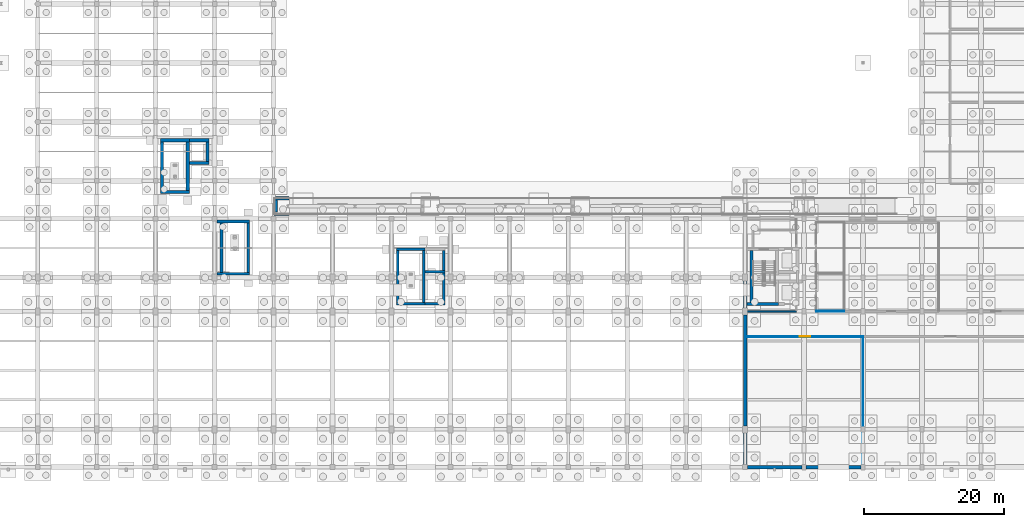
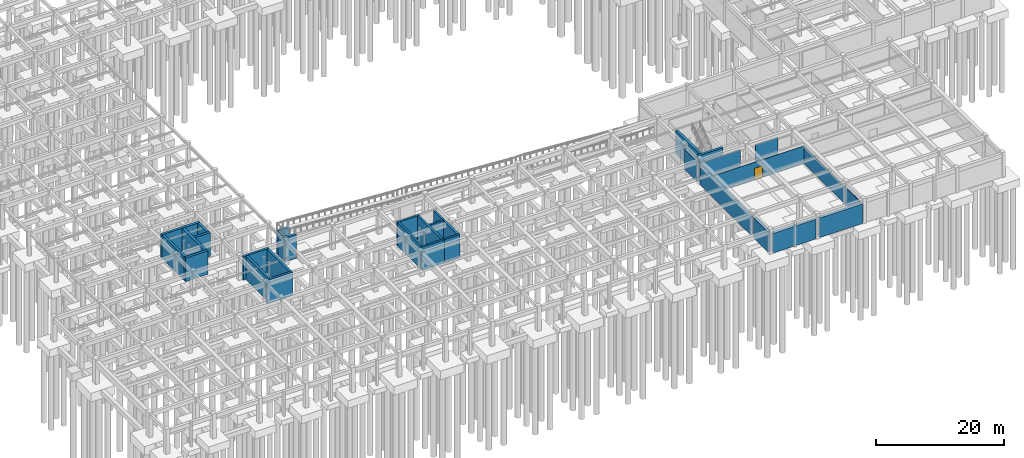
# One storey, part 36 of 49: 33 walls, 1 door, 1 opening.
"""IFC4 building model written with IfcOpenShell, lengths in metres."""

from ifc_helpers import new_model, si_unit, direction, frame, frame_2d, origin, place, context, subcontext, project, spatial, rectangle, extrude, material, layer, layer_set, type_object, element, fill, save


model = new_model("IFC4")

# Units and contexts
model_context = context("Model", 3, precision=1e-05, world=origin(), true_north=direction((0.0, 1.0)))
body_context = subcontext(model_context, "Body", "Model", "MODEL_VIEW")
ifc_project = project(units=[si_unit("LENGTHUNIT", "METRE"), si_unit("AREAUNIT", "SQUARE_METRE"), si_unit("VOLUMEUNIT", "CUBIC_METRE"), si_unit("PLANEANGLEUNIT", "RADIAN"), si_unit("MASSUNIT", "GRAM", prefix="KILO")], contexts=[model_context])

# Site, building, storey
site_placement = place(None, origin())
site = spatial("IfcSite", under=ifc_project, at=site_placement, CompositionType="ELEMENT")
building_placement = place(site_placement, origin())
building = spatial("IfcBuilding", under=site, at=building_placement, Name="Krzemoval Escarpment Law Courts", CompositionType="ELEMENT")
storey_placement = place(building_placement, frame((0.0, 0.0, -4.800048828125)))
storey = spatial("IfcBuildingStorey", under=building, at=storey_placement, Name="B1", CompositionType="ELEMENT", Elevation=-4.800048828125)

# Wall
ifc_material_1 = material(Name="Light Internal Subdivision Partition", Category="gypsum")
ifc_layer_1 = layer(ifc_material_1, 0.114990234375)
ifc_layer_set_1 = layer_set([ifc_layer_1], Name="Light Internal Subdivision Partition")
wall_type_1 = type_object("IfcWallType", Name="WL-PRT-115", PredefinedType="PARTITIONING", material=ifc_layer_set_1)
wall_1_placement = place(storey_placement, frame((126.0, 0.06591796875, 0.0), z_axis=(0.0, 0.0, 1.0), x_axis=(0.0, 1.0, 0.0)))
element("IfcWall", 1, at=wall_1_placement, inside=storey, type_object=wall_type_1, Name="Interior Partition PW-B1-0058", PredefinedType="PARTITIONING", context=body_context, shape_type="SweptSolid", body=[
    extrude(rectangle(XDim=18.4169921875, YDim=0.114990234375, at=frame_2d((9.20849609375, 0.0))), origin(), (0.0, 0.0, 1.0), 3.35009765625),
])

# Wall, opening, door
ifc_material_2 = material(Name="Standard Metal-Stud Gypsum Partition", Category="gypsum")
ifc_layer_2 = layer(ifc_material_2, 0.125)
ifc_layer_set_2 = layer_set([ifc_layer_2], Name="Standard Metal-Stud Gypsum Partition")
wall_type_2 = type_object("IfcWallType", Name="WL-PRT-125", PredefinedType="PARTITIONING", material=ifc_layer_set_2)
wall_2_placement = place(storey_placement, frame((109.451904296875, 18.60009765625, 0.0), z_axis=(0.0, 0.0, 1.0), x_axis=(1.0, 0.0, 0.0)))
wall_2 = element("IfcWall", 2, at=wall_2_placement, inside=storey, type_object=wall_type_2, Name="Interior Partition PW-B1-0013", PredefinedType="PARTITIONING", context=body_context, shape_type="SweptSolid", body=[
    extrude(rectangle(XDim=16.548095703125, YDim=0.125, at=frame_2d((8.27392578125, 0.0))), origin(), (0.0, 0.0, 1.0), 3.35009765625),
])
opening_placement = place(wall_2_placement, frame((7.52392578125, 0.0, 0.0)))
opening = element("IfcOpeningElement", 3, at=opening_placement, cuts=wall_2, Name="Opening D-B1-0017", PredefinedType="OPENING", context=body_context, shape_type="SweptSolid", body=[
    extrude(rectangle(XDim=1.5, YDim=2.199951171875, at=frame_2d((0.75, 1.10009765625))), frame((0.0, 0.0775, 0.0), z_axis=(0.0, -1.0, 0.0), x_axis=(1.0, 0.0, 0.0)), (0.0, 0.0, 1.0), 0.155),
])
ifc_material_3 = material(Name="Engineered Solid-Core Oak Acoustic Timber", Category="wood")
door_type = type_object("IfcDoorType", Name="DR-INT-1500x2200", OperationType="SINGLE_SWING_LEFT", PredefinedType="DOOR", material=ifc_material_3)
door_placement = place(opening_placement, origin())
door = element("IfcDoor", 4, at=door_placement, inside=storey, type_object=door_type, Name="Room Door D-B1-0017", OperationType="SINGLE_SWING_LEFT", OverallHeight=2.199951171875, OverallWidth=1.5, PredefinedType="DOOR", context=body_context, shape_type="SweptSolid", body=[
    extrude(rectangle(XDim=1.5, YDim=2.199951171875, at=frame_2d((0.75, 1.10009765625))), frame((0.0, 0.02490234375, 0.0), z_axis=(0.0, -1.0, 0.0), x_axis=(1.0, 0.0, 0.0)), (0.0, 0.0, 1.0), 0.050048828125),
])
fill(opening, door)

# Walls
ifc_material_4 = material(Name="Sanitary Moisture-Resistant Partition", Category="gypsum")
ifc_layer_3 = layer(ifc_material_4, 0.139892578125)
ifc_layer_set_3 = layer_set([ifc_layer_3], Name="Sanitary Moisture-Resistant Partition")
wall_type_3 = type_object("IfcWallType", Name="WL-PRT-140", PredefinedType="PARTITIONING", material=ifc_layer_set_3)
wall_3_placement = place(storey_placement, frame((119.300048828125, 22.199951171875, 0.0), z_axis=(0.0, 0.0, 1.0), x_axis=(1.0, 0.0, 0.0)))
element("IfcWall", 5, at=wall_3_placement, inside=storey, type_object=wall_type_3, Name="Interior Partition PW-B1-0016", PredefinedType="PARTITIONING", context=body_context, shape_type="SweptSolid", body=[
    extrude(rectangle(XDim=4.0, YDim=0.139892578125, at=frame_2d((2.0, 0.0))), origin(), (0.0, 0.0, 1.0), 3.75),
])
ifc_material_5 = material(Name="Acoustic Courtroom Partition Assembly", Category="gypsum")
ifc_layer_4 = layer(ifc_material_5, 0.239990234375)
ifc_layer_set_4 = layer_set([ifc_layer_4], Name="Acoustic Courtroom Partition Assembly")
wall_type_4 = type_object("IfcWallType", Name="WL-PRT-240", PredefinedType="PARTITIONING", material=ifc_layer_set_4)
wall_4_placement = place(storey_placement, frame((109.205078125, 22.199951171875, 0.0), z_axis=(0.0, 0.0, 1.0), x_axis=(1.0, 0.0, 0.0)))
element("IfcWall", 6, at=wall_4_placement, inside=storey, type_object=wall_type_4, Name="Interior Partition PW-B1-0015", PredefinedType="PARTITIONING", context=body_context, shape_type="SweptSolid", body=[
    extrude(rectangle(XDim=7.294921875, YDim=0.239990234375, at=frame_2d((3.6474609375, 0.0))), origin(), (0.0, 0.0, 1.0), 3.75),
])
ifc_material_6 = material(Name="Concrete C35/45", Category="concrete")
ifc_layer_5 = layer(ifc_material_6, 0.449951171875)
ifc_layer_set_5 = layer_set([ifc_layer_5], Name="Concrete C35/45")
wall_type_5 = type_object("IfcWallType", Name="WL-RET-450", PredefinedType="USERDEFINED", material=ifc_layer_set_5)
for number, where, z_axis, x_axis, name in (
    (7, (42.090087890625, 36.090087890625, 0.0), (0.0, 0.0, 1.0), (1.0, 0.0, 0.0), "Ramp Landing Cheek Retaining Wall RW-RLD-01S"),
    (8, (42.090087890625, 38.31005859375, 0.0), (0.0, 0.0, 1.0), (1.0, 0.0, 0.0), "Ramp Landing Cheek Retaining Wall RW-RLD-01N"),
):
    element("IfcWall", number, at=place(storey_placement, frame(where, z_axis=z_axis, x_axis=x_axis)), inside=storey, type_object=wall_type_5, Name=name, ObjectType="RETAININGWALL", PredefinedType="USERDEFINED", context=body_context, shape_type="SweptSolid", body=[
        extrude(rectangle(XDim=2.10986328125, YDim=0.449951171875, at=frame_2d((1.054931640625, 0.0))), origin(), (0.0, 0.0, 1.0), 4.60009765625),
    ])
wall_5_placement = place(storey_placement, frame((42.320068359375, 36.35009765625, 0.0), z_axis=(0.0, 0.0, 1.0), x_axis=(0.0, 1.0, 0.0)))
element("IfcWall", 9, at=wall_5_placement, inside=storey, type_object=wall_type_5, Name="Ramp Landing Cross Retaining Wall RW-RLD-01X", ObjectType="RETAININGWALL", PredefinedType="USERDEFINED", context=body_context, shape_type="SweptSolid", body=[
    extrude(rectangle(XDim=1.699951171875, YDim=0.449951171875, at=frame_2d((0.85009765625, 0.0))), origin(), (0.0, 0.0, 1.0), 4.60009765625),
])
ifc_material_7 = material(Name="Concrete C35/45", Category="concrete")
ifc_layer_6 = layer(ifc_material_7, 0.5)
ifc_layer_set_6 = layer_set([ifc_layer_6], Name="Concrete C35/45")
wall_type_6 = type_object("IfcWallType", Name="WL-RET-500", PredefinedType="USERDEFINED", material=ifc_layer_set_6)
wall_6_placement = place(storey_placement, frame((125.699951171875, 0.0, 0.0), z_axis=(0.0, 0.0, 1.0), x_axis=(-1.0, 0.0, 0.0)))
element("IfcWall", 10, at=wall_6_placement, inside=storey, type_object=wall_type_6, Name="Exterior Wall EW-B1-0004", ObjectType="RETAININGWALL", PredefinedType="USERDEFINED", context=body_context, shape_type="SweptSolid", body=[
    extrude(rectangle(XDim=7.800048828125, YDim=0.5, at=frame_2d((3.89990234375, 0.0))), origin(), (0.0, 0.0, 1.0), 3.75),
])
wall_7_placement = place(storey_placement, frame((117.300048828125, 0.0, 0.0), z_axis=(0.0, 0.0, 1.0), x_axis=(-1.0, 0.0, 0.0)))
element("IfcWall", 11, at=wall_7_placement, inside=storey, type_object=wall_type_6, Name="Exterior Wall EW-B1-0005", ObjectType="RETAININGWALL", PredefinedType="USERDEFINED", context=body_context, shape_type="SweptSolid", body=[
    extrude(rectangle(XDim=7.75, YDim=0.5, at=frame_2d((3.875, 0.0))), origin(), (0.0, 0.0, 1.0), 3.75),
])
wall_8_placement = place(storey_placement, frame((109.199951171875, 0.35009765625, 0.0), z_axis=(0.0, 0.0, 1.0), x_axis=(0.0, 1.0, 0.0)))
element("IfcWall", 12, at=wall_8_placement, inside=storey, type_object=wall_type_6, Name="Exterior Wall EW-B1-0006", ObjectType="RETAININGWALL", PredefinedType="USERDEFINED", context=body_context, shape_type="SweptSolid", body=[
    extrude(rectangle(XDim=4.5498046875, YDim=0.5, at=frame_2d((2.27490234375, 0.0))), origin(), (0.0, 0.0, 1.0), 3.85009765625),
])
wall_9_placement = place(storey_placement, frame((109.199951171875, 5.89990234375, 0.0), z_axis=(0.0, 0.0, 1.0), x_axis=(0.0, 1.0, 0.0)))
element("IfcWall", 13, at=wall_9_placement, inside=storey, type_object=wall_type_6, Name="Exterior Wall EW-B1-0007", ObjectType="RETAININGWALL", PredefinedType="USERDEFINED", context=body_context, shape_type="SweptSolid", body=[
    extrude(rectangle(XDim=15.800048828125, YDim=0.5, at=frame_2d((7.89990234375, 0.0))), origin(), (0.0, 0.0, 1.0), 3.35009765625),
])
wall_10_placement = place(storey_placement, frame((109.199951171875, 22.699951171875, 0.0), z_axis=(0.0, 0.0, 1.0), x_axis=(0.0, 1.0, 0.0)))
element("IfcWall", 14, at=wall_10_placement, inside=storey, type_object=wall_type_6, Name="Exterior Wall EW-B1-0008", ObjectType="RETAININGWALL", PredefinedType="USERDEFINED", context=body_context, shape_type="SweptSolid", body=[
    extrude(rectangle(XDim=3.800048828125, YDim=0.5, at=frame_2d((1.89990234375, 0.0))), origin(), (0.0, 0.0, 1.0), 3.85009765625),
])
ifc_material_8 = material(Name="Concrete C40/50", Category="concrete")
ifc_layer_7 = layer(ifc_material_8, 0.35009765625)
ifc_layer_set_7 = layer_set([ifc_layer_7], Name="Concrete C40/50")
wall_type_7 = type_object("IfcWallType", Name="WL-SHW-350", PredefinedType="SHEAR", material=ifc_layer_set_7)
for number, where, z_axis, x_axis, name in (
    (15, (59.550048828125, 31.02490234375, 0.0), (0.0, 0.0, 1.0), (1.0, 0.0, 0.0), "Core Stair Shear Wall SW-B1-0451"),
    (16, (59.550048828125, 23.27490234375, 0.0), (0.0, 0.0, 1.0), (1.0, 0.0, 0.0), "Core Stair Shear Wall SW-B1-0452"),
):
    element("IfcWall", number, at=place(storey_placement, frame(where, z_axis=z_axis, x_axis=x_axis)), inside=storey, type_object=wall_type_7, Name=name, PredefinedType="SHEAR", context=body_context, shape_type="SweptSolid", body=[
        extrude(rectangle(XDim=4.0, YDim=0.35009765625, at=frame_2d((2.0, 0.0))), origin(), (0.0, 0.0, 1.0), 4.5),
    ])
for number, where, z_axis, x_axis, name in (
    (17, (59.72509765625, 23.451904296875, 0.0), (0.0, 0.0, 1.0), (0.0, 1.0, 0.0), "Core Stair Shear Wall SW-B1-0453"),
    (18, (63.375, 23.451904296875, 0.0), (0.0, 0.0, 1.0), (0.0, 1.0, 0.0), "Core Stair Shear Wall SW-B1-0454"),
):
    element("IfcWall", number, at=place(storey_placement, frame(where, z_axis=z_axis, x_axis=x_axis)), inside=storey, type_object=wall_type_7, Name=name, PredefinedType="SHEAR", context=body_context, shape_type="SweptSolid", body=[
        extrude(rectangle(XDim=7.39599609375, YDim=0.35009765625, at=frame_2d((3.697998046875, 0.0))), origin(), (0.0, 0.0, 1.0), 4.5),
    ])
wall_11_placement = place(storey_placement, frame((63.552001953125, 27.875, 0.0), z_axis=(0.0, 0.0, 1.0), x_axis=(1.0, 0.0, 0.0)))
element("IfcWall", 19, at=wall_11_placement, inside=storey, type_object=wall_type_7, Name="Lift Shaft Shear Wall SW-B1-0455", PredefinedType="SHEAR", context=body_context, shape_type="SweptSolid", body=[
    extrude(rectangle(XDim=2.847900390625, YDim=0.35009765625, at=frame_2d((1.423828125, 0.0))), origin(), (0.0, 0.0, 1.0), 4.5),
])
wall_12_placement = place(storey_placement, frame((66.22509765625, 28.052001953125, 0.0), z_axis=(0.0, 0.0, 1.0), x_axis=(0.0, 1.0, 0.0)))
element("IfcWall", 20, at=wall_12_placement, inside=storey, type_object=wall_type_7, Name="Lift Shaft Shear Wall SW-B1-0457", PredefinedType="SHEAR", context=body_context, shape_type="SweptSolid", body=[
    extrude(rectangle(XDim=2.7958984375, YDim=0.35009765625, at=frame_2d((1.39794921875, 0.0))), origin(), (0.0, 0.0, 1.0), 4.5),
])
wall_13_placement = place(storey_placement, frame((63.550048828125, 23.27490234375, 0.0), z_axis=(0.0, 0.0, 1.0), x_axis=(1.0, 0.0, 0.0)))
element("IfcWall", 21, at=wall_13_placement, inside=storey, type_object=wall_type_7, Name="Riser Shaft Wall SW-B1-0458", PredefinedType="SHEAR", context=body_context, shape_type="SweptSolid", body=[
    extrude(rectangle(XDim=2.849853515625, YDim=0.35009765625, at=frame_2d((1.4248046875, 0.0))), origin(), (0.0, 0.0, 1.0), 4.5),
])
wall_14_placement = place(storey_placement, frame((66.22509765625, 23.451904296875, 0.0), z_axis=(0.0, 0.0, 1.0), x_axis=(0.0, 1.0, 0.0)))
element("IfcWall", 22, at=wall_14_placement, inside=storey, type_object=wall_type_7, Name="Riser Shaft Wall SW-B1-0459", PredefinedType="SHEAR", context=body_context, shape_type="SweptSolid", body=[
    extrude(rectangle(XDim=4.60498046875, YDim=0.35009765625, at=frame_2d((2.302490234375, 0.0))), origin(), (0.0, 0.0, 1.0), 4.5),
])
ifc_material_9 = material(Name="Concrete C40/50", Category="concrete")
ifc_layer_8 = layer(ifc_material_9, 0.39990234375)
ifc_layer_set_8 = layer_set([ifc_layer_8], Name="Concrete C40/50")
wall_type_8 = type_object("IfcWallType", Name="WL-SHW-400", PredefinedType="SHEAR", material=ifc_layer_set_8)
for number, where, z_axis, x_axis, name in (
    (23, (33.94189453125, 35.0, 0.0), (0.0, 0.0, 1.0), (1.0, 0.0, 0.0), "Core Stair Shear Wall SW-B1-0595"),
    (24, (33.94189453125, 27.550048828125, 0.0), (0.0, 0.0, 1.0), (1.0, 0.0, 0.0), "Core Stair Shear Wall SW-B1-0596"),
):
    element("IfcWall", number, at=place(storey_placement, frame(where, z_axis=z_axis, x_axis=x_axis)), inside=storey, type_object=wall_type_8, Name=name, PredefinedType="SHEAR", context=body_context, shape_type="SweptSolid", body=[
        extrude(rectangle(XDim=4.658203125, YDim=0.39990234375, at=frame_2d((2.3291015625, 0.0))), origin(), (0.0, 0.0, 1.0), 4.5),
    ])
for number, where, z_axis, x_axis, name in (
    (25, (34.60009765625, 27.751953125, 0.0), (0.0, 0.0, 1.0), (0.0, 1.0, 0.0), "Core Stair Shear Wall SW-B1-0597"),
    (26, (38.39990234375, 27.751953125, 0.0), (0.0, 0.0, 1.0), (0.0, 1.0, 0.0), "Core Stair Shear Wall SW-B1-0598"),
):
    element("IfcWall", number, at=place(storey_placement, frame(where, z_axis=z_axis, x_axis=x_axis)), inside=storey, type_object=wall_type_8, Name=name, PredefinedType="SHEAR", context=body_context, shape_type="SweptSolid", body=[
        extrude(rectangle(XDim=7.046142578125, YDim=0.39990234375, at=frame_2d((3.52294921875, 0.0))), origin(), (0.0, 0.0, 1.0), 4.5),
    ])
ifc_material_10 = material(Name="Concrete C40/50", Category="concrete")
ifc_layer_9 = layer(ifc_material_10, 0.419921875)
ifc_layer_set_9 = layer_set([ifc_layer_9], Name="Concrete C40/50")
wall_type_9 = type_object("IfcWallType", Name="WL-SHW-420", PredefinedType="SHEAR", material=ifc_layer_set_9)
wall_15_placement = place(storey_placement, frame((109.445068359375, 23.239990234375, 0.0), z_axis=(0.0, 0.0, 1.0), x_axis=(1.0, 0.0, 0.0)))
element("IfcWall", 27, at=wall_15_placement, inside=storey, type_object=wall_type_9, Name="Core Stair Shear Wall SW-B1-0541", PredefinedType="SHEAR", context=body_context, shape_type="SweptSolid", body=[
    extrude(rectangle(XDim=4.474853515625, YDim=0.419921875, at=frame_2d((2.2373046875, 0.0))), origin(), (0.0, 0.0, 1.0), 4.5),
])
wall_16_placement = place(storey_placement, frame((110.090087890625, 23.451904296875, 0.0), z_axis=(0.0, 0.0, 1.0), x_axis=(0.0, 1.0, 0.0)))
element("IfcWall", 28, at=wall_16_placement, inside=storey, type_object=wall_type_9, Name="Core Stair Shear Wall SW-B1-0542", PredefinedType="SHEAR", context=body_context, shape_type="SweptSolid", body=[
    extrude(rectangle(XDim=7.39599609375, YDim=0.419921875, at=frame_2d((3.697998046875, 0.0))), origin(), (0.0, 0.0, 1.0), 4.5),
])
ifc_material_11 = material(Name="Concrete C40/50", Category="concrete")
ifc_layer_10 = layer(ifc_material_11, 0.449951171875)
ifc_layer_set_10 = layer_set([ifc_layer_10], Name="Concrete C40/50")
wall_type_10 = type_object("IfcWallType", Name="WL-SHW-450", PredefinedType="SHEAR", material=ifc_layer_set_10)
for number, where, z_axis, x_axis, name in (
    (29, (25.89990234375, 46.574951171875, 0.0), (0.0, 0.0, 1.0), (1.0, 0.0, 0.0), "Core Stair Shear Wall SW-B1-0505"),
    (30, (25.89990234375, 39.22509765625, 0.0), (0.0, 0.0, 1.0), (1.0, 0.0, 0.0), "Core Stair Shear Wall SW-B1-0506"),
):
    element("IfcWall", number, at=place(storey_placement, frame(where, z_axis=z_axis, x_axis=x_axis)), inside=storey, type_object=wall_type_10, Name=name, PredefinedType="SHEAR", context=body_context, shape_type="SweptSolid", body=[
        extrude(rectangle(XDim=4.10009765625, YDim=0.449951171875, at=frame_2d((2.050048828125, 0.0))), origin(), (0.0, 0.0, 1.0), 4.5),
    ])
for number, where, z_axis, x_axis, name in (
    (31, (26.125, 39.451904296875, 0.0), (0.0, 0.0, 1.0), (0.0, 1.0, 0.0), "Core Stair Shear Wall SW-B1-0507"),
    (32, (29.77490234375, 39.451904296875, 0.0), (0.0, 0.0, 1.0), (0.0, 1.0, 0.0), "Core Stair Shear Wall SW-B1-0508"),
):
    element("IfcWall", number, at=place(storey_placement, frame(where, z_axis=z_axis, x_axis=x_axis)), inside=storey, type_object=wall_type_10, Name=name, PredefinedType="SHEAR", context=body_context, shape_type="SweptSolid", body=[
        extrude(rectangle(XDim=6.89599609375, YDim=0.449951171875, at=frame_2d((3.447998046875, 0.0))), origin(), (0.0, 0.0, 1.0), 4.5),
    ])
wall_17_placement = place(storey_placement, frame((30.001953125, 43.324951171875, 0.0), z_axis=(0.0, 0.0, 1.0), x_axis=(1.0, 0.0, 0.0)))
element("IfcWall", 33, at=wall_17_placement, inside=storey, type_object=wall_type_10, Name="Lift Shaft Shear Wall SW-B1-0509", PredefinedType="SHEAR", context=body_context, shape_type="SweptSolid", body=[
    extrude(rectangle(XDim=2.798095703125, YDim=0.449951171875, at=frame_2d((1.39892578125, 0.0))), origin(), (0.0, 0.0, 1.0), 4.5),
])
wall_18_placement = place(storey_placement, frame((30.0, 46.574951171875, 0.0), z_axis=(0.0, 0.0, 1.0), x_axis=(1.0, 0.0, 0.0)))
element("IfcWall", 34, at=wall_18_placement, inside=storey, type_object=wall_type_10, Name="Lift Shaft Shear Wall SW-B1-0510", PredefinedType="SHEAR", context=body_context, shape_type="SweptSolid", body=[
    extrude(rectangle(XDim=2.800048828125, YDim=0.449951171875, at=frame_2d((1.39990234375, 0.0))), origin(), (0.0, 0.0, 1.0), 4.5),
])
wall_19_placement = place(storey_placement, frame((32.574951171875, 43.552001953125, 0.0), z_axis=(0.0, 0.0, 1.0), x_axis=(0.0, 1.0, 0.0)))
element("IfcWall", 35, at=wall_19_placement, inside=storey, type_object=wall_type_10, Name="Lift Shaft Shear Wall SW-B1-0511", PredefinedType="SHEAR", context=body_context, shape_type="SweptSolid", body=[
    extrude(rectangle(XDim=2.7958984375, YDim=0.449951171875, at=frame_2d((1.39794921875, 0.0))), origin(), (0.0, 0.0, 1.0), 4.5),
])

save(model, "model.ifc")
